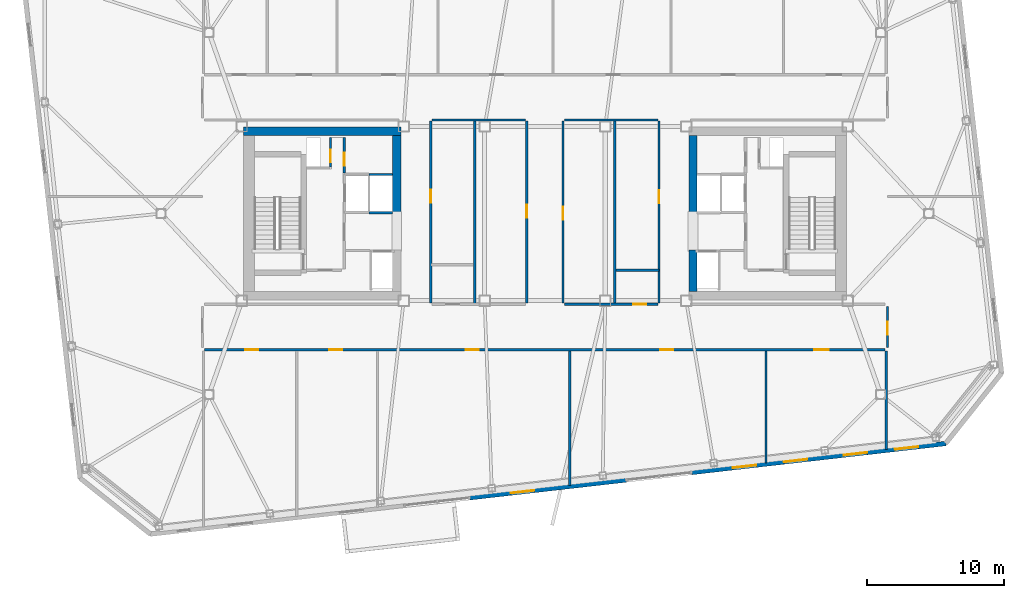
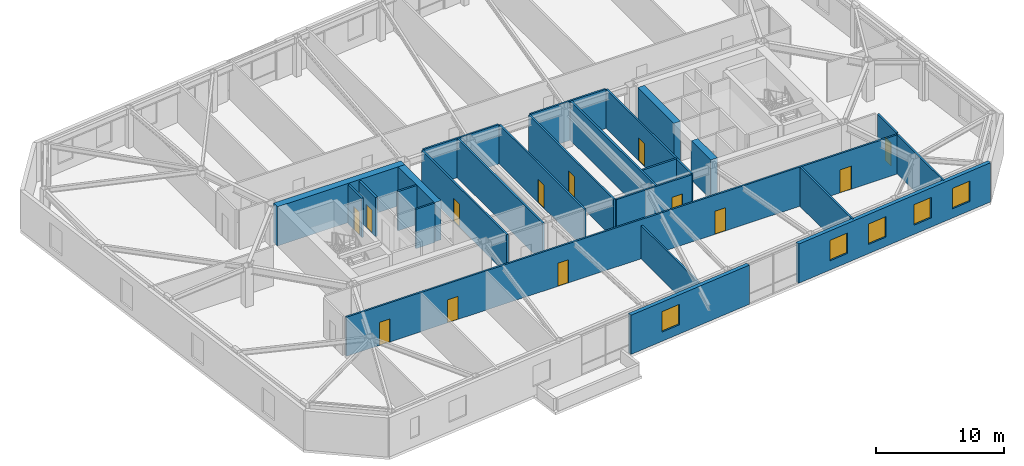
# One storey, part 13 of 18: 25 walls, 13 doors, 5 windows, 18 openings.
"""IFC4 building model written with IfcOpenShell, lengths in metres."""

from ifc_helpers import new_model, si_unit, direction, frame, frame_2d, origin, place, context, subcontext, project, spatial, rectangle, extrude, material, layer, layer_set, type_object, element, fill, save


model = new_model("IFC4")

# Units and contexts
model_context = context("Model", 3, precision=1e-05, world=origin(), true_north=direction((0.0, 1.0)))
body_context = subcontext(model_context, "Body", "Model", "MODEL_VIEW")
ifc_project = project(units=[si_unit("LENGTHUNIT", "METRE"), si_unit("AREAUNIT", "SQUARE_METRE"), si_unit("VOLUMEUNIT", "CUBIC_METRE"), si_unit("PLANEANGLEUNIT", "RADIAN"), si_unit("MASSUNIT", "GRAM", prefix="KILO")], contexts=[model_context])

# Site, building, storey
site_placement = place(None, origin())
site = spatial("IfcSite", under=ifc_project, at=site_placement, CompositionType="ELEMENT")
building_placement = place(site_placement, origin())
building = spatial("IfcBuilding", under=site, at=building_placement, Name="Tavrogorsk Clinical Tower", CompositionType="ELEMENT")
storey_placement = place(building_placement, frame((0.0, 0.0, 230.199951171875)))
storey = spatial("IfcBuildingStorey", under=building, at=storey_placement, Name="L53", CompositionType="ELEMENT", Elevation=230.199951171875)

# Wall, opening, door
ifc_material_1 = material(Name="Concrete B60", Category="concrete")
ifc_layer_1 = layer(ifc_material_1, 0.199951171875)
ifc_layer_set_1 = layer_set([ifc_layer_1], Name="Concrete B60")
wall_type_1 = type_object("IfcWallType", Name="CoreFireWall_200", PredefinedType="SOLIDWALL", material=ifc_layer_set_1)
wall_1_placement = place(storey_placement, frame((-14.639892578125, 2.9599609375, 0.0), z_axis=(0.0, 0.0, 1.0), x_axis=(0.0, 1.0, 0.0)))
wall_1 = element("IfcWall", 1, at=wall_1_placement, inside=storey, type_object=wall_type_1, Name="L53 Core West North Core Room East Wall", PredefinedType="SOLIDWALL", context=body_context, shape_type="SweptSolid", body=[
    extrude(rectangle(XDim=2.60009765625, YDim=0.199951171875, at=frame_2d((1.300048828125, 0.0))), origin(), (0.0, 0.0, 1.0), 3.739990234375),
])
opening_1_placement = place(wall_1_placement, frame((0.52001953125, 0.0, 0.0)))
opening_1 = element("IfcOpeningElement", 2, at=opening_1_placement, cuts=wall_1, Name="Opening ID-02", PredefinedType="OPENING", context=body_context, shape_type="SweptSolid", body=[
    extrude(rectangle(XDim=0.949951171875, YDim=2.199951171875, at=frame_2d((0.47509765625, 1.10009765625))), frame((0.0, 0.10986328125, 0.0), z_axis=(0.0, -1.0, 0.0), x_axis=(1.0, 0.0, 0.0)), (0.0, 0.0, 1.0), 0.219970703125),
])
ifc_material_2 = material(Name="Laminated timber leaf on aluminium frame", Category="wood")
door_type_1 = type_object("IfcDoorType", Name="InteriorDoor_ID02_950", OperationType="NOTDEFINED", PredefinedType="DOOR", material=ifc_material_2)
door_1_placement = place(opening_1_placement, origin())
door_1 = element("IfcDoor", 3, at=door_1_placement, inside=storey, type_object=door_type_1, Name="L53 Core West Core Telemetry Room Door", OperationType="SINGLE_SWING_LEFT", OverallHeight=2.199951171875, OverallWidth=0.949951171875, PredefinedType="DOOR", context=body_context, shape_type="SweptSolid", body=[
    extrude(rectangle(XDim=0.949951171875, YDim=2.199951171875, at=frame_2d((0.47509765625, 1.10009765625))), frame((0.0, 0.02490234375, 0.0), z_axis=(0.0, -1.0, 0.0), x_axis=(1.0, 0.0, 0.0)), (0.0, 0.0, 1.0), 0.050048828125),
])
fill(opening_1, door_1)

ifc_material_3 = material(Name="Lightweight concrete blockwork B15", Category="masonry")
ifc_layer_2 = layer(ifc_material_3, 0.159912109375)
ifc_layer_set_2 = layer_set([ifc_layer_2], Name="Lightweight concrete blockwork B15")
wall_type_2 = type_object("IfcWallType", Name="PartitionWall_160", PredefinedType="PARTITIONING", material=ifc_layer_set_2)
wall_2_placement = place(storey_placement, frame((24.97998046875, -6.784912109375, 0.0), z_axis=(0.0, 0.0, 1.0), x_axis=(0.0, -1.0, 0.0)))
wall_2 = element("IfcWall", 4, at=wall_2_placement, inside=storey, type_object=wall_type_2, Name="L53 Corridor Partition 09", PredefinedType="PARTITIONING", context=body_context, shape_type="SweptSolid", body=[
    extrude(rectangle(XDim=2.97998046875, YDim=0.159912109375, at=frame_2d((1.489990234375, 0.0))), origin(), (0.0, 0.0, 1.0), 3.739990234375),
])
opening_2_placement = place(wall_2_placement, frame((1.10009765625, 0.0, 0.0)))
opening_2 = element("IfcOpeningElement", 5, at=opening_2_placement, cuts=wall_2, Name="Opening ID-02", PredefinedType="OPENING", context=body_context, shape_type="SweptSolid", body=[
    extrude(rectangle(XDim=0.949951171875, YDim=2.199951171875, at=frame_2d((0.47509765625, 1.10009765625))), frame((0.0, 0.08984375, 0.0), z_axis=(0.0, -1.0, 0.0), x_axis=(1.0, 0.0, 0.0)), (0.0, 0.0, 1.0), 0.179931640625),
])
door_2_placement = place(opening_2_placement, origin())
door_2 = element("IfcDoor", 6, at=door_2_placement, inside=storey, type_object=door_type_1, Name="L53 E Senior Clinician Suite 1 Door", OperationType="SINGLE_SWING_LEFT", OverallHeight=2.199951171875, OverallWidth=0.949951171875, PredefinedType="DOOR", context=body_context, shape_type="SweptSolid", body=[
    extrude(rectangle(XDim=0.949951171875, YDim=2.199951171875, at=frame_2d((0.47509765625, 1.10009765625))), frame((0.0, 0.02490234375, 0.0), z_axis=(0.0, -1.0, 0.0), x_axis=(1.0, 0.0, 0.0)), (0.0, 0.0, 1.0), 0.050048828125),
])
fill(opening_2, door_2)

# Wall, openings, doors
wall_3_placement = place(storey_placement, frame((24.81494140625, -9.929931640625, 0.0), z_axis=(0.0, 0.0, 1.0), x_axis=(-1.0, 0.0, 0.0)))
wall_3 = element("IfcWall", 7, at=wall_3_placement, inside=storey, type_object=wall_type_2, Name="L53 Corridor Partition 10", PredefinedType="PARTITIONING", context=body_context, shape_type="SweptSolid", body=[
    extrude(rectangle(XDim=49.6298828125, YDim=0.159912109375, at=frame_2d((24.81494140625, 0.0))), origin(), (0.0, 0.0, 1.0), 3.739990234375),
])
opening_3_placement = place(wall_3_placement, frame((45.7333984375, 0.0, 0.0)))
opening_3 = element("IfcOpeningElement", 8, at=opening_3_placement, cuts=wall_3, Name="Opening ID-02", PredefinedType="OPENING", context=body_context, shape_type="SweptSolid", body=[
    extrude(rectangle(XDim=0.949951171875, YDim=2.199951171875, at=frame_2d((0.47509765625, 1.10009765625))), frame((0.0, 0.08984375, 0.0), z_axis=(0.0, -1.0, 0.0), x_axis=(1.0, 0.0, 0.0)), (0.0, 0.0, 1.0), 0.179931640625),
])
opening_4_placement = place(wall_3_placement, frame((39.58251953125, 0.0, 0.0)))
opening_4 = element("IfcOpeningElement", 9, at=opening_4_placement, cuts=wall_3, Name="Opening ID-02", PredefinedType="OPENING", context=body_context, shape_type="SweptSolid", body=[
    extrude(rectangle(XDim=0.949951171875, YDim=2.199951171875, at=frame_2d((0.47509765625, 1.10009765625))), frame((0.0, 0.08984375, 0.0), z_axis=(0.0, -1.0, 0.0), x_axis=(1.0, 0.0, 0.0)), (0.0, 0.0, 1.0), 0.179931640625),
])
opening_5_placement = place(wall_3_placement, frame((29.625, 0.0, 0.0)))
opening_5 = element("IfcOpeningElement", 10, at=opening_5_placement, cuts=wall_3, Name="Opening ID-02", PredefinedType="OPENING", context=body_context, shape_type="SweptSolid", body=[
    extrude(rectangle(XDim=0.949951171875, YDim=2.199951171875, at=frame_2d((0.47509765625, 1.10009765625))), frame((0.0, 0.08984375, 0.0), z_axis=(0.0, -1.0, 0.0), x_axis=(1.0, 0.0, 0.0)), (0.0, 0.0, 1.0), 0.179931640625),
])
opening_6_placement = place(wall_3_placement, frame((15.4599609375, 0.0, 0.0)))
opening_6 = element("IfcOpeningElement", 11, at=opening_6_placement, cuts=wall_3, Name="Opening ID-02", PredefinedType="OPENING", context=body_context, shape_type="SweptSolid", body=[
    extrude(rectangle(XDim=0.949951171875, YDim=2.199951171875, at=frame_2d((0.47509765625, 1.10009765625))), frame((0.0, 0.08984375, 0.0), z_axis=(0.0, -1.0, 0.0), x_axis=(1.0, 0.0, 0.0)), (0.0, 0.0, 1.0), 0.179931640625),
])
opening_7_placement = place(wall_3_placement, frame((4.109130859375, 0.0, 0.0)))
opening_7 = element("IfcOpeningElement", 12, at=opening_7_placement, cuts=wall_3, Name="Opening ID-04", PredefinedType="OPENING", context=body_context, shape_type="SweptSolid", body=[
    extrude(rectangle(XDim=1.050048828125, YDim=2.199951171875, at=frame_2d((0.52490234375, 1.10009765625))), frame((0.0, 0.08984375, 0.0), z_axis=(0.0, -1.0, 0.0), x_axis=(1.0, 0.0, 0.0)), (0.0, 0.0, 1.0), 0.179931640625),
])
ifc_material_4 = material(Name="Antibacterial HPL consultation door on aluminium frame", Category="aluminium")
door_type_2 = type_object("IfcDoorType", Name="ConsultDoor_ID04_1050", OperationType="NOTDEFINED", PredefinedType="DOOR", material=ifc_material_4)
door_3_placement = place(opening_7_placement, origin())
door_3 = element("IfcDoor", 13, at=door_3_placement, inside=storey, type_object=door_type_2, Name="L53 South Rehabilitation Case Seminar Room 04 Door", OperationType="SINGLE_SWING_RIGHT", OverallHeight=2.199951171875, OverallWidth=1.050048828125, PredefinedType="DOOR", context=body_context, shape_type="SweptSolid", body=[
    extrude(rectangle(XDim=1.050048828125, YDim=2.199951171875, at=frame_2d((0.52490234375, 1.10009765625))), frame((0.0, 0.02490234375, 0.0), z_axis=(0.0, -1.0, 0.0), x_axis=(1.0, 0.0, 0.0)), (0.0, 0.0, 1.0), 0.050048828125),
])
fill(opening_7, door_3)
door_4_placement = place(opening_3_placement, origin())
door_4 = element("IfcDoor", 14, at=door_4_placement, inside=storey, type_object=door_type_1, Name="L53 South Speech & Occupational Therapy Office 01A Door", OperationType="SINGLE_SWING_RIGHT", OverallHeight=2.199951171875, OverallWidth=0.949951171875, PredefinedType="DOOR", context=body_context, shape_type="SweptSolid", body=[
    extrude(rectangle(XDim=0.949951171875, YDim=2.199951171875, at=frame_2d((0.47509765625, 1.10009765625))), frame((0.0, 0.02490234375, 0.0), z_axis=(0.0, -1.0, 0.0), x_axis=(1.0, 0.0, 0.0)), (0.0, 0.0, 1.0), 0.050048828125),
])
fill(opening_3, door_4)
door_5_placement = place(opening_4_placement, origin())
door_5 = element("IfcDoor", 15, at=door_5_placement, inside=storey, type_object=door_type_1, Name="L53 South Orthotics & Mobility Equipment Store 01B Door", OperationType="SINGLE_SWING_LEFT", OverallHeight=2.199951171875, OverallWidth=0.949951171875, PredefinedType="DOOR", context=body_context, shape_type="SweptSolid", body=[
    extrude(rectangle(XDim=0.949951171875, YDim=2.199951171875, at=frame_2d((0.47509765625, 1.10009765625))), frame((0.0, 0.02490234375, 0.0), z_axis=(0.0, -1.0, 0.0), x_axis=(1.0, 0.0, 0.0)), (0.0, 0.0, 1.0), 0.050048828125),
])
fill(opening_4, door_5)
door_6_placement = place(opening_5_placement, origin())
door_6 = element("IfcDoor", 16, at=door_6_placement, inside=storey, type_object=door_type_1, Name="L53 South Rehabilitation Case Seminar Room 02 Door", OperationType="SINGLE_SWING_RIGHT", OverallHeight=2.199951171875, OverallWidth=0.949951171875, PredefinedType="DOOR", context=body_context, shape_type="SweptSolid", body=[
    extrude(rectangle(XDim=0.949951171875, YDim=2.199951171875, at=frame_2d((0.47509765625, 1.10009765625))), frame((0.0, 0.02490234375, 0.0), z_axis=(0.0, -1.0, 0.0), x_axis=(1.0, 0.0, 0.0)), (0.0, 0.0, 1.0), 0.050048828125),
])
fill(opening_5, door_6)
door_7_placement = place(opening_6_placement, origin())
door_7 = element("IfcDoor", 17, at=door_7_placement, inside=storey, type_object=door_type_1, Name="L53 South Speech & Occupational Therapy Office 03 Door", OperationType="SINGLE_SWING_LEFT", OverallHeight=2.199951171875, OverallWidth=0.949951171875, PredefinedType="DOOR", context=body_context, shape_type="SweptSolid", body=[
    extrude(rectangle(XDim=0.949951171875, YDim=2.199951171875, at=frame_2d((0.47509765625, 1.10009765625))), frame((0.0, 0.02490234375, 0.0), z_axis=(0.0, -1.0, 0.0), x_axis=(1.0, 0.0, 0.0)), (0.0, 0.0, 1.0), 0.050048828125),
])
fill(opening_6, door_7)

# Wall
wall_4_placement = place(storey_placement, frame((8.235107421875, 6.820068359375, 0.0), z_axis=(0.0, 0.0, 1.0), x_axis=(-1.0, 0.0, 0.0)))
element("IfcWall", 18, at=wall_4_placement, inside=storey, type_object=wall_type_2, Name="L53 Corridor Partition 11", PredefinedType="PARTITIONING", context=body_context, shape_type="SweptSolid", body=[
    extrude(rectangle(XDim=6.820068359375, YDim=0.159912109375, at=frame_2d((3.41015625, 0.0))), origin(), (0.0, 0.0, 1.0), 3.739990234375),
])

# Wall, opening, door
wall_5_placement = place(storey_placement, frame((1.330078125, 6.735107421875, 0.0), z_axis=(0.0, 0.0, 1.0), x_axis=(0.0, -1.0, 0.0)))
wall_5 = element("IfcWall", 19, at=wall_5_placement, inside=storey, type_object=wall_type_2, Name="L53 Corridor Partition 12", PredefinedType="PARTITIONING", context=body_context, shape_type="SweptSolid", body=[
    extrude(rectangle(XDim=13.27001953125, YDim=0.159912109375, at=frame_2d((6.635009765625, 0.0))), origin(), (0.0, 0.0, 1.0), 3.739990234375),
])
opening_8_placement = place(wall_5_placement, frame((6.2451171875, 0.0, 0.0)))
opening_8 = element("IfcOpeningElement", 20, at=opening_8_placement, cuts=wall_5, Name="Opening ID-02", PredefinedType="OPENING", context=body_context, shape_type="SweptSolid", body=[
    extrude(rectangle(XDim=0.949951171875, YDim=2.199951171875, at=frame_2d((0.47509765625, 1.10009765625))), frame((0.0, 0.08984375, 0.0), z_axis=(0.0, -1.0, 0.0), x_axis=(1.0, 0.0, 0.0)), (0.0, 0.0, 1.0), 0.179931640625),
])
door_8_placement = place(opening_8_placement, origin())
door_8 = element("IfcDoor", 21, at=door_8_placement, inside=storey, type_object=door_type_1, Name="L53 Clean Medication Preparation Room Door", OperationType="SINGLE_SWING_RIGHT", OverallHeight=2.199951171875, OverallWidth=0.949951171875, PredefinedType="DOOR", context=body_context, shape_type="SweptSolid", body=[
    extrude(rectangle(XDim=0.949951171875, YDim=2.199951171875, at=frame_2d((0.47509765625, 1.10009765625))), frame((0.0, 0.02490234375, 0.0), z_axis=(0.0, -1.0, 0.0), x_axis=(1.0, 0.0, 0.0)), (0.0, 0.0, 1.0), 0.050048828125),
])
fill(opening_8, door_8)

wall_6_placement = place(storey_placement, frame((1.4150390625, -6.6201171875, 0.0), z_axis=(0.0, 0.0, 1.0), x_axis=(1.0, 0.0, 0.0)))
wall_6 = element("IfcWall", 22, at=wall_6_placement, inside=storey, type_object=wall_type_2, Name="L53 Corridor Partition 13", PredefinedType="PARTITIONING", context=body_context, shape_type="SweptSolid", body=[
    extrude(rectangle(XDim=6.820068359375, YDim=0.159912109375, at=frame_2d((3.41015625, 0.0))), origin(), (0.0, 0.0, 1.0), 3.739990234375),
])
opening_9_placement = place(wall_6_placement, frame((5.010986328125, 0.0, 0.0)))
opening_9 = element("IfcOpeningElement", 23, at=opening_9_placement, cuts=wall_6, Name="Opening ID-02", PredefinedType="OPENING", context=body_context, shape_type="SweptSolid", body=[
    extrude(rectangle(XDim=0.949951171875, YDim=2.199951171875, at=frame_2d((0.47509765625, 1.10009765625))), frame((0.0, 0.08984375, 0.0), z_axis=(0.0, -1.0, 0.0), x_axis=(1.0, 0.0, 0.0)), (0.0, 0.0, 1.0), 0.179931640625),
])
door_9_placement = place(opening_9_placement, origin())
door_9 = element("IfcDoor", 24, at=door_9_placement, inside=storey, type_object=door_type_1, Name="L53 Staff & Visitor Accessible WC Door", OperationType="SINGLE_SWING_LEFT", OverallHeight=2.199951171875, OverallWidth=0.949951171875, PredefinedType="DOOR", context=body_context, shape_type="SweptSolid", body=[
    extrude(rectangle(XDim=0.949951171875, YDim=2.199951171875, at=frame_2d((0.47509765625, 1.10009765625))), frame((0.0, 0.02490234375, 0.0), z_axis=(0.0, -1.0, 0.0), x_axis=(1.0, 0.0, 0.0)), (0.0, 0.0, 1.0), 0.050048828125),
])
fill(opening_9, door_9)

wall_7_placement = place(storey_placement, frame((8.320068359375, -6.534912109375, 0.0), z_axis=(0.0, 0.0, 1.0), x_axis=(0.0, 1.0, 0.0)))
wall_7 = element("IfcWall", 25, at=wall_7_placement, inside=storey, type_object=wall_type_2, Name="L53 Corridor Partition 14", PredefinedType="PARTITIONING", context=body_context, shape_type="SweptSolid", body=[
    extrude(rectangle(XDim=13.27001953125, YDim=0.159912109375, at=frame_2d((6.635009765625, 0.0))), origin(), (0.0, 0.0, 1.0), 3.739990234375),
])
opening_10_placement = place(wall_7_placement, frame((7.285888671875, 0.0, 0.0)))
opening_10 = element("IfcOpeningElement", 26, at=opening_10_placement, cuts=wall_7, Name="Opening ID-02", PredefinedType="OPENING", context=body_context, shape_type="SweptSolid", body=[
    extrude(rectangle(XDim=0.949951171875, YDim=2.199951171875, at=frame_2d((0.47509765625, 1.10009765625))), frame((0.0, 0.08984375, 0.0), z_axis=(0.0, -1.0, 0.0), x_axis=(1.0, 0.0, 0.0)), (0.0, 0.0, 1.0), 0.179931640625),
])
door_10_placement = place(opening_10_placement, origin())
door_10 = element("IfcDoor", 27, at=door_10_placement, inside=storey, type_object=door_type_1, Name="L53 Resident Clinician Study Door", OperationType="SINGLE_SWING_RIGHT", OverallHeight=2.199951171875, OverallWidth=0.949951171875, PredefinedType="DOOR", context=body_context, shape_type="SweptSolid", body=[
    extrude(rectangle(XDim=0.949951171875, YDim=2.199951171875, at=frame_2d((0.47509765625, 1.10009765625))), frame((0.0, 0.02490234375, 0.0), z_axis=(0.0, -1.0, 0.0), x_axis=(1.0, 0.0, 0.0)), (0.0, 0.0, 1.0), 0.050048828125),
])
fill(opening_10, door_10)

wall_8_placement = place(storey_placement, frame((-1.330078125, -6.534912109375, 0.0), z_axis=(0.0, 0.0, 1.0), x_axis=(0.0, 1.0, 0.0)))
wall_8 = element("IfcWall", 28, at=wall_8_placement, inside=storey, type_object=wall_type_2, Name="L53 Corridor Partition 15", PredefinedType="PARTITIONING", context=body_context, shape_type="SweptSolid", body=[
    extrude(rectangle(XDim=13.27001953125, YDim=0.159912109375, at=frame_2d((6.635009765625, 0.0))), origin(), (0.0, 0.0, 1.0), 3.739990234375),
])
opening_11_placement = place(wall_8_placement, frame((6.2451171875, 0.0, 0.0)))
opening_11 = element("IfcOpeningElement", 29, at=opening_11_placement, cuts=wall_8, Name="Opening ID-02", PredefinedType="OPENING", context=body_context, shape_type="SweptSolid", body=[
    extrude(rectangle(XDim=0.949951171875, YDim=2.199951171875, at=frame_2d((0.47509765625, 1.10009765625))), frame((0.0, 0.08984375, 0.0), z_axis=(0.0, -1.0, 0.0), x_axis=(1.0, 0.0, 0.0)), (0.0, 0.0, 1.0), 0.179931640625),
])
door_11_placement = place(opening_11_placement, origin())
door_11 = element("IfcDoor", 30, at=door_11_placement, inside=storey, type_object=door_type_1, Name="L53 Nurses' Station & Telemetry Hub Door", OperationType="SINGLE_SWING_LEFT", OverallHeight=2.199951171875, OverallWidth=0.949951171875, PredefinedType="DOOR", context=body_context, shape_type="SweptSolid", body=[
    extrude(rectangle(XDim=0.949951171875, YDim=2.199951171875, at=frame_2d((0.47509765625, 1.10009765625))), frame((0.0, 0.02490234375, 0.0), z_axis=(0.0, -1.0, 0.0), x_axis=(1.0, 0.0, 0.0)), (0.0, 0.0, 1.0), 0.050048828125),
])
fill(opening_11, door_11)

# Wall
wall_9_placement = place(storey_placement, frame((-1.4150390625, 6.820068359375, 0.0), z_axis=(0.0, 0.0, 1.0), x_axis=(-1.0, 0.0, 0.0)))
element("IfcWall", 31, at=wall_9_placement, inside=storey, type_object=wall_type_2, Name="L53 Corridor Partition 16", PredefinedType="PARTITIONING", context=body_context, shape_type="SweptSolid", body=[
    extrude(rectangle(XDim=6.820068359375, YDim=0.159912109375, at=frame_2d((3.41015625, 0.0))), origin(), (0.0, 0.0, 1.0), 3.739990234375),
])

# Wall, opening, door
wall_10_placement = place(storey_placement, frame((-8.320068359375, 6.735107421875, 0.0), z_axis=(0.0, 0.0, 1.0), x_axis=(0.0, -1.0, 0.0)))
wall_10 = element("IfcWall", 32, at=wall_10_placement, inside=storey, type_object=wall_type_2, Name="L53 Corridor Partition 17", PredefinedType="PARTITIONING", context=body_context, shape_type="SweptSolid", body=[
    extrude(rectangle(XDim=13.27001953125, YDim=0.159912109375, at=frame_2d((6.635009765625, 0.0))), origin(), (0.0, 0.0, 1.0), 3.739990234375),
])
opening_12_placement = place(wall_10_placement, frame((5.004150390625, 0.0, 0.0)))
opening_12 = element("IfcOpeningElement", 33, at=opening_12_placement, cuts=wall_10, Name="Opening ID-02", PredefinedType="OPENING", context=body_context, shape_type="SweptSolid", body=[
    extrude(rectangle(XDim=0.949951171875, YDim=2.199951171875, at=frame_2d((0.47509765625, 1.10009765625))), frame((0.0, 0.08984375, 0.0), z_axis=(0.0, -1.0, 0.0), x_axis=(1.0, 0.0, 0.0)), (0.0, 0.0, 1.0), 0.179931640625),
])
door_12_placement = place(opening_12_placement, origin())
door_12 = element("IfcDoor", 34, at=door_12_placement, inside=storey, type_object=door_type_1, Name="L53 Ward Nourishment Pantry Door", OperationType="SINGLE_SWING_RIGHT", OverallHeight=2.199951171875, OverallWidth=0.949951171875, PredefinedType="DOOR", context=body_context, shape_type="SweptSolid", body=[
    extrude(rectangle(XDim=0.949951171875, YDim=2.199951171875, at=frame_2d((0.47509765625, 1.10009765625))), frame((0.0, 0.02490234375, 0.0), z_axis=(0.0, -1.0, 0.0), x_axis=(1.0, 0.0, 0.0)), (0.0, 0.0, 1.0), 0.050048828125),
])
fill(opening_12, door_12)

# Walls
wall_11_placement = place(storey_placement, frame((24.89990234375, -17.199462890625, 0.0), z_axis=(0.0, 0.0, 1.0), x_axis=(0.0, 1.0, 0.0)))
element("IfcWall", 35, at=wall_11_placement, inside=storey, type_object=wall_type_2, Name="L53 SE Wing Closure Partition", PredefinedType="PARTITIONING", context=body_context, shape_type="SweptSolid", body=[
    extrude(rectangle(XDim=7.1845703125, YDim=0.159912109375, at=frame_2d((3.59228515625, 0.0))), origin(), (0.0, 0.0, 1.0), 3.739990234375),
])
wall_12_placement = place(storey_placement, frame((1.81005859375, -19.830078125, 0.0), z_axis=(0.0, 0.0, 1.0), x_axis=(0.0, 1.0, 0.0)))
element("IfcWall", 36, at=wall_12_placement, inside=storey, type_object=wall_type_2, Name="L53 South Room Partition 2", PredefinedType="PARTITIONING", context=body_context, shape_type="SweptSolid", body=[
    extrude(rectangle(XDim=9.815185546875, YDim=0.159912109375, at=frame_2d((4.90771484375, 0.0))), origin(), (0.0, 0.0, 1.0), 3.1650390625),
])
wall_13_placement = place(storey_placement, frame((16.1201171875, -18.19970703125, 0.0), z_axis=(0.0, 0.0, 1.0), x_axis=(0.0, 1.0, 0.0)))
element("IfcWall", 37, at=wall_13_placement, inside=storey, type_object=wall_type_2, Name="L53 South Room Partition 3", PredefinedType="PARTITIONING", context=body_context, shape_type="SweptSolid", body=[
    extrude(rectangle(XDim=8.184814453125, YDim=0.159912109375, at=frame_2d((4.09228515625, 0.0))), origin(), (0.0, 0.0, 1.0), 3.739990234375),
])
ifc_material_5 = material(Name="Lightweight concrete blockwork B20", Category="masonry")
ifc_layer_3 = layer(ifc_material_5, 0.179931640625)
ifc_layer_set_3 = layer_set([ifc_layer_3], Name="Lightweight concrete blockwork B20")
wall_type_3 = type_object("IfcWallType", Name="PartitionWall_180", PredefinedType="PARTITIONING", material=ifc_layer_set_3)
for number, where, z_axis, x_axis, name in (
    (38, (-5.10009765625, -6.614990234375, 0.0), (0.0, 0.0, 1.0), (0.0, 1.0, 0.0), "L53 Central Spine Partition 1"),
    (39, (5.10009765625, -6.614990234375, 0.0), (0.0, 0.0, 1.0), (0.0, 1.0, 0.0), "L53 Central Spine Partition 2"),
):
    element("IfcWall", number, at=place(storey_placement, frame(where, z_axis=z_axis, x_axis=x_axis)), inside=storey, type_object=wall_type_3, Name=name, PredefinedType="PARTITIONING", context=body_context, shape_type="SweptSolid", body=[
        extrude(rectangle(XDim=13.429931640625, YDim=0.179931640625, at=frame_2d((6.71484375, 0.0))), origin(), (0.0, 0.0, 1.0), 3.739990234375),
    ])
wall_14_placement = place(storey_placement, frame((5.195068359375, -4.14990234375, 0.0), z_axis=(0.0, 0.0, 1.0), x_axis=(1.0, 0.0, 0.0)))
element("IfcWall", 40, at=wall_14_placement, inside=storey, type_object=wall_type_3, Name="L53 Central Spine Partition 4", PredefinedType="PARTITIONING", context=body_context, shape_type="SweptSolid", body=[
    extrude(rectangle(XDim=3.119873046875, YDim=0.179931640625, at=frame_2d((1.56005859375, 0.0))), origin(), (0.0, 0.0, 1.0), 3.739990234375),
])

# Wall, opening, window
ifc_material_6 = material(Name="Precast concrete B45 with limestone cladding", Category="masonry")
ifc_layer_4 = layer(ifc_material_6, 0.340087890625)
ifc_layer_set_4 = layer_set([ifc_layer_4], Name="Precast concrete B45 with limestone cladding")
wall_type_4 = type_object("IfcWallType", Name="PrecastLimestoneWall_340", PredefinedType="STANDARD", material=ifc_layer_set_4)
wall_15_placement = place(storey_placement, frame((-5.48193359375, -20.7314453125, 0.0), z_axis=(0.0, 0.0, 1.0), x_axis=(0.993571968199, 0.113202226169, 0.0)))
wall_15 = element("IfcWall", 41, at=wall_15_placement, inside=storey, type_object=wall_type_4, Name="L53 S Limestone Facade Wall 2", PredefinedType="STANDARD", context=body_context, shape_type="SweptSolid", body=[
    extrude(rectangle(XDim=11.497314453125, YDim=0.340087890625, at=frame_2d((5.74853515625, 0.0))), origin(), (0.0, 0.0, 1.0), 3.739990234375),
])
opening_13_placement = place(wall_15_placement, frame((3.0244140625, 0.0, 0.8798828125)))
opening_13 = element("IfcOpeningElement", 42, at=opening_13_placement, cuts=wall_15, Name="Opening WN-15", PredefinedType="OPENING", context=body_context, shape_type="SweptSolid", body=[
    extrude(rectangle(XDim=1.699951171875, YDim=1.949951171875, at=frame_2d((0.85009765625, 0.97509765625))), frame((0.0, 0.179931640625, 0.0), z_axis=(0.0, -1.0, 0.0), x_axis=(1.0, 0.0, 0.0)), (0.0, 0.0, 1.0), 0.360107421875),
])
ifc_material_7 = material(Name="Thermally broken aluminium frame and triple IGU", Category="aluminium")
window_type = type_object("IfcWindowType", Name="OfficeChicagoWin_1700x1950", PartitioningType="SINGLE_PANEL", PredefinedType="WINDOW", material=ifc_material_7)
window_1_placement = place(opening_13_placement, origin())
window_1 = element("IfcWindow", 43, at=window_1_placement, inside=storey, type_object=window_type, Name="L53 S Chicago Window 05", OverallHeight=1.949951171875, OverallWidth=1.699951171875, PartitioningType="SINGLE_PANEL", PredefinedType="WINDOW", context=body_context, shape_type="SweptSolid", body=[
    extrude(rectangle(XDim=1.699951171875, YDim=1.949951171875, at=frame_2d((0.85009765625, 0.97509765625))), frame((0.0, 0.030029296875, 0.0), z_axis=(0.0, -1.0, 0.0), x_axis=(1.0, 0.0, 0.0)), (0.0, 0.0, 1.0), 0.06005859375),
])
fill(opening_13, window_1)

# Wall, openings, windows
wall_16_placement = place(storey_placement, frame((10.71044921875, -18.886474609375, 0.0), z_axis=(0.0, 0.0, 1.0), x_axis=(0.993572271362, 0.113199565282, 0.0)))
wall_16 = element("IfcWall", 44, at=wall_16_placement, inside=storey, type_object=wall_type_4, Name="L53 S Limestone Facade Wall 3", PredefinedType="STANDARD", context=body_context, shape_type="SweptSolid", body=[
    extrude(rectangle(XDim=18.6513671875, YDim=0.340087890625, at=frame_2d((9.32568359375, 0.0))), origin(), (0.0, 0.0, 1.0), 3.739990234375),
])
opening_14_placement = place(wall_16_placement, frame((3.0244140625, 0.0, 0.8798828125)))
opening_14 = element("IfcOpeningElement", 45, at=opening_14_placement, cuts=wall_16, Name="Opening WN-15", PredefinedType="OPENING", context=body_context, shape_type="SweptSolid", body=[
    extrude(rectangle(XDim=1.699951171875, YDim=1.949951171875, at=frame_2d((0.85009765625, 0.97509765625))), frame((0.0, 0.179931640625, 0.0), z_axis=(0.0, -1.0, 0.0), x_axis=(1.0, 0.0, 0.0)), (0.0, 0.0, 1.0), 0.360107421875),
])
opening_15_placement = place(wall_16_placement, frame((6.772705078125, 0.0, 0.8798828125)))
opening_15 = element("IfcOpeningElement", 46, at=opening_15_placement, cuts=wall_16, Name="Opening WN-15", PredefinedType="OPENING", context=body_context, shape_type="SweptSolid", body=[
    extrude(rectangle(XDim=1.699951171875, YDim=1.949951171875, at=frame_2d((0.85009765625, 0.97509765625))), frame((0.0, 0.179931640625, 0.0), z_axis=(0.0, -1.0, 0.0), x_axis=(1.0, 0.0, 0.0)), (0.0, 0.0, 1.0), 0.360107421875),
])
opening_16_placement = place(wall_16_placement, frame((11.1728515625, 0.0, 0.8798828125)))
opening_16 = element("IfcOpeningElement", 47, at=opening_16_placement, cuts=wall_16, Name="Opening WN-15", PredefinedType="OPENING", context=body_context, shape_type="SweptSolid", body=[
    extrude(rectangle(XDim=1.699951171875, YDim=1.949951171875, at=frame_2d((0.85009765625, 0.97509765625))), frame((0.0, 0.179931640625, 0.0), z_axis=(0.0, -1.0, 0.0), x_axis=(1.0, 0.0, 0.0)), (0.0, 0.0, 1.0), 0.360107421875),
])
opening_17_placement = place(wall_16_placement, frame((14.921142578125, 0.0, 0.8798828125)))
opening_17 = element("IfcOpeningElement", 48, at=opening_17_placement, cuts=wall_16, Name="Opening WN-15", PredefinedType="OPENING", context=body_context, shape_type="SweptSolid", body=[
    extrude(rectangle(XDim=1.699951171875, YDim=1.949951171875, at=frame_2d((0.85009765625, 0.97509765625))), frame((0.0, 0.179931640625, 0.0), z_axis=(0.0, -1.0, 0.0), x_axis=(1.0, 0.0, 0.0)), (0.0, 0.0, 1.0), 0.360107421875),
])
window_2_placement = place(opening_14_placement, origin())
window_2 = element("IfcWindow", 49, at=window_2_placement, inside=storey, type_object=window_type, Name="L53 S Chicago Window 07", OverallHeight=1.949951171875, OverallWidth=1.699951171875, PartitioningType="SINGLE_PANEL", PredefinedType="WINDOW", context=body_context, shape_type="SweptSolid", body=[
    extrude(rectangle(XDim=1.699951171875, YDim=1.949951171875, at=frame_2d((0.85009765625, 0.97509765625))), frame((0.0, 0.030029296875, 0.0), z_axis=(0.0, -1.0, 0.0), x_axis=(1.0, 0.0, 0.0)), (0.0, 0.0, 1.0), 0.06005859375),
])
fill(opening_14, window_2)
window_3_placement = place(opening_15_placement, origin())
window_3 = element("IfcWindow", 50, at=window_3_placement, inside=storey, type_object=window_type, Name="L53 S Chicago Window 08", OverallHeight=1.949951171875, OverallWidth=1.699951171875, PartitioningType="SINGLE_PANEL", PredefinedType="WINDOW", context=body_context, shape_type="SweptSolid", body=[
    extrude(rectangle(XDim=1.699951171875, YDim=1.949951171875, at=frame_2d((0.85009765625, 0.97509765625))), frame((0.0, 0.030029296875, 0.0), z_axis=(0.0, -1.0, 0.0), x_axis=(1.0, 0.0, 0.0)), (0.0, 0.0, 1.0), 0.06005859375),
])
fill(opening_15, window_3)
window_4_placement = place(opening_16_placement, origin())
window_4 = element("IfcWindow", 51, at=window_4_placement, inside=storey, type_object=window_type, Name="L53 S Chicago Window 09", OverallHeight=1.949951171875, OverallWidth=1.699951171875, PartitioningType="SINGLE_PANEL", PredefinedType="WINDOW", context=body_context, shape_type="SweptSolid", body=[
    extrude(rectangle(XDim=1.699951171875, YDim=1.949951171875, at=frame_2d((0.85009765625, 0.97509765625))), frame((0.0, 0.030029296875, 0.0), z_axis=(0.0, -1.0, 0.0), x_axis=(1.0, 0.0, 0.0)), (0.0, 0.0, 1.0), 0.06005859375),
])
fill(opening_16, window_4)
window_5_placement = place(opening_17_placement, origin())
window_5 = element("IfcWindow", 52, at=window_5_placement, inside=storey, type_object=window_type, Name="L53 S Chicago Window 10", OverallHeight=1.949951171875, OverallWidth=1.699951171875, PartitioningType="SINGLE_PANEL", PredefinedType="WINDOW", context=body_context, shape_type="SweptSolid", body=[
    extrude(rectangle(XDim=1.699951171875, YDim=1.949951171875, at=frame_2d((0.85009765625, 0.97509765625))), frame((0.0, 0.030029296875, 0.0), z_axis=(0.0, -1.0, 0.0), x_axis=(1.0, 0.0, 0.0)), (0.0, 0.0, 1.0), 0.06005859375),
])
fill(opening_17, window_5)

# Walls
ifc_material_8 = material(Name="Lightweight concrete blockwork B25", Category="masonry")
ifc_layer_5 = layer(ifc_material_8, 0.159912109375)
ifc_layer_set_5 = layer_set([ifc_layer_5], Name="Lightweight concrete blockwork B25")
wall_type_5 = type_object("IfcWallType", Name="ShaftWall_160", PredefinedType="PARTITIONING", material=ifc_layer_set_5)
for number, where, z_axis, x_axis, name in (
    (53, (-12.820068359375, 0.06005859375, 0.0), (0.0, 0.0, 1.0), (1.0, 0.0, 0.0), "L53 LP-H1 High-Zone Lift Portal Wall"),
    (54, (-12.820068359375, 2.860107421875, 0.0), (0.0, 0.0, 1.0), (1.0, 0.0, 0.0), "L53 LP-H1 High-Zone Lift Rear Wall"),
):
    element("IfcWall", number, at=place(storey_placement, frame(where, z_axis=z_axis, x_axis=x_axis)), inside=storey, type_object=wall_type_5, Name=name, PredefinedType="PARTITIONING", context=body_context, shape_type="SweptSolid", body=[
        extrude(rectangle(XDim=1.719970703125, YDim=0.159912109375, at=frame_2d((0.85986328125, 0.0))), origin(), (0.0, 0.0, 1.0), 3.739990234375),
    ])

# Wall, opening, door
wall_17_placement = place(storey_placement, frame((-15.639892578125, 3.405029296875, 0.0), z_axis=(0.0, 0.0, 1.0), x_axis=(0.0, 1.0, 0.0)))
wall_17 = element("IfcWall", 55, at=wall_17_placement, inside=storey, type_object=wall_type_5, Name="L53 Core West Riser West Wall", PredefinedType="PARTITIONING", context=body_context, shape_type="SweptSolid", body=[
    extrude(rectangle(XDim=2.155029296875, YDim=0.159912109375, at=frame_2d((1.07763671875, 0.0))), origin(), (0.0, 0.0, 1.0), 3.739990234375),
])
opening_18_placement = place(wall_17_placement, frame((0.35009765625, 0.0, 0.0)))
opening_18 = element("IfcOpeningElement", 56, at=opening_18_placement, cuts=wall_17, Name="Opening FD-02", PredefinedType="OPENING", context=body_context, shape_type="SweptSolid", body=[
    extrude(rectangle(XDim=0.89990234375, YDim=2.199951171875, at=frame_2d((0.449951171875, 1.10009765625))), frame((0.0, 0.08984375, 0.0), z_axis=(0.0, -1.0, 0.0), x_axis=(1.0, 0.0, 0.0)), (0.0, 0.0, 1.0), 0.179931640625),
])
ifc_material_9 = material(Name="Galvanised steel fire-rated door assembly", Category="steel")
door_type_3 = type_object("IfcDoorType", Name="FireDoor_FD02_900", OperationType="NOTDEFINED", PredefinedType="DOOR", material=ifc_material_9)
door_13_placement = place(opening_18_placement, origin())
door_13 = element("IfcDoor", 57, at=door_13_placement, inside=storey, type_object=door_type_3, Name="L53 Core West Electrical Riser Access Door", OperationType="SINGLE_SWING_LEFT", OverallHeight=2.199951171875, OverallWidth=0.89990234375, PredefinedType="DOOR", context=body_context, shape_type="SweptSolid", body=[
    extrude(rectangle(XDim=0.89990234375, YDim=2.199951171875, at=frame_2d((0.449951171875, 1.10009765625))), frame((0.0, 0.02490234375, 0.0), z_axis=(0.0, -1.0, 0.0), x_axis=(1.0, 0.0, 0.0)), (0.0, 0.0, 1.0), 0.050048828125),
])
fill(opening_18, door_13)

# Walls
ifc_material_10 = material(Name="Concrete B80", Category="concrete")
ifc_layer_6 = layer(ifc_material_10, 0.60009765625)
ifc_layer_set_6 = layer_set([ifc_layer_6], Name="Concrete B80")
wall_type_6 = type_object("IfcWallType", Name="ShearWall_600", PredefinedType="SHEAR", material=ifc_layer_set_6)
wall_18_placement = place(storey_placement, frame((-22.0, 6.0, 0.0), z_axis=(0.0, 0.0, 1.0), x_axis=(1.0, 0.0, 0.0)))
element("IfcWall", 58, at=wall_18_placement, inside=storey, type_object=wall_type_6, Name="L53 Core West North Shear Wall", PredefinedType="SHEAR", context=body_context, shape_type="SweptSolid", body=[
    extrude(rectangle(XDim=11.5, YDim=0.60009765625, at=frame_2d((5.75, 0.0))), origin(), (0.0, 0.0, 1.0), 3.739990234375),
])
wall_19_placement = place(storey_placement, frame((-10.800048828125, 0.050048828125, 0.0), z_axis=(0.0, 0.0, 1.0), x_axis=(0.0, 1.0, 0.0)))
element("IfcWall", 59, at=wall_19_placement, inside=storey, type_object=wall_type_6, Name="L53 Core West Inner North Pier", PredefinedType="SHEAR", context=body_context, shape_type="SweptSolid", body=[
    extrude(rectangle(XDim=5.64990234375, YDim=0.60009765625, at=frame_2d((2.824951171875, 0.0))), origin(), (0.0, 0.0, 1.0), 3.739990234375),
])
wall_20_placement = place(storey_placement, frame((10.800048828125, -5.699951171875, 0.0), z_axis=(0.0, 0.0, 1.0), x_axis=(0.0, 1.0, 0.0)))
element("IfcWall", 60, at=wall_20_placement, inside=storey, type_object=wall_type_6, Name="L53 Core East Inner South Pier", PredefinedType="SHEAR", context=body_context, shape_type="SweptSolid", body=[
    extrude(rectangle(XDim=3.050048828125, YDim=0.60009765625, at=frame_2d((1.52490234375, 0.0))), origin(), (0.0, 0.0, 1.0), 3.739990234375),
])
wall_21_placement = place(storey_placement, frame((10.800048828125, 0.050048828125, 0.0), z_axis=(0.0, 0.0, 1.0), x_axis=(0.0, 1.0, 0.0)))
element("IfcWall", 61, at=wall_21_placement, inside=storey, type_object=wall_type_6, Name="L53 Core East Inner North Pier", PredefinedType="SHEAR", context=body_context, shape_type="SweptSolid", body=[
    extrude(rectangle(XDim=5.64990234375, YDim=0.60009765625, at=frame_2d((2.824951171875, 0.0))), origin(), (0.0, 0.0, 1.0), 3.739990234375),
])

save(model, "model.ifc")
